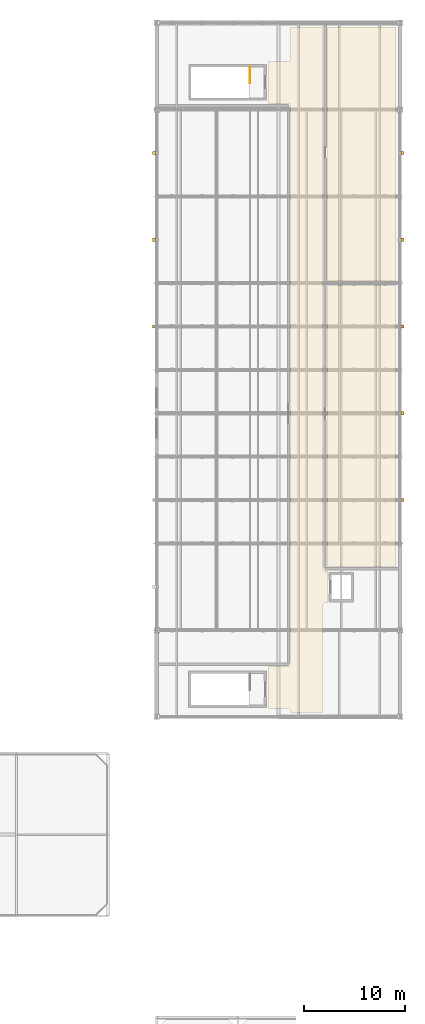
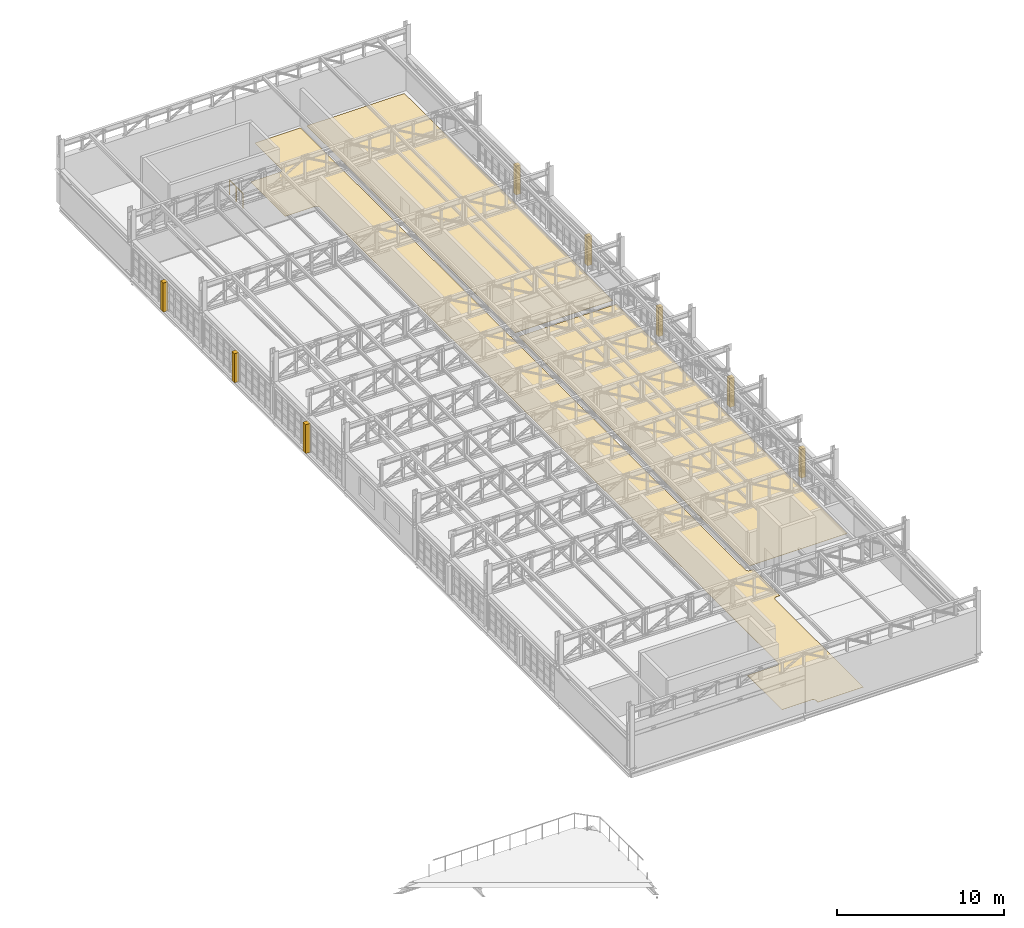
# One storey, part 128 of 128: 11 coverings, 1 railing.
"""IFC4 building model written with IfcOpenShell, lengths in metres."""

from ifc_helpers import new_model, si_unit, direction, frame, origin, origin_2d, place, context, subcontext, project, spatial, polyline, circle, outline, extrude, material, layer, layer_set, type_object, element, save


model = new_model("IFC4")

# Units and contexts
model_context = context("Model", 3, precision=1e-05, world=origin(), true_north=direction((0.0, 1.0)))
body_context = subcontext(model_context, "Body", "Model", "MODEL_VIEW")
ifc_project = project(units=[si_unit("LENGTHUNIT", "METRE"), si_unit("AREAUNIT", "SQUARE_METRE"), si_unit("VOLUMEUNIT", "CUBIC_METRE"), si_unit("PLANEANGLEUNIT", "RADIAN"), si_unit("MASSUNIT", "GRAM", prefix="KILO")], contexts=[model_context])

# Site, building, storey
site_placement = place(None, origin())
site = spatial("IfcSite", under=ifc_project, at=site_placement, CompositionType="ELEMENT")
building_placement = place(site_placement, origin())
building = spatial("IfcBuilding", under=site, at=building_placement, Name="Serraforn Aerial Cableway Station", CompositionType="ELEMENT")
storey_placement = place(building_placement, frame((0.0, 0.0, 9.0)))
storey = spatial("IfcBuildingStorey", under=building, at=storey_placement, Name="L02", CompositionType="ELEMENT", Elevation=9.0)

# Coverings
ifc_material_1 = material(Name="Fluted patinated bronze Art Deco pilaster cladding")
ifc_layer_1 = layer(ifc_material_1, 0.034912109375)
ifc_layer_set_1 = layer_set([ifc_layer_1], Name="Fluted patinated bronze Art Deco pilaster cladding")
covering_type_1 = type_object("IfcCoveringType", Name="COV-CLAD-BRZ", PredefinedType="CLADDING", material=ifc_layer_set_1)
covering_1_placement = place(storey_placement, origin())
element("IfcCovering", 1, at=covering_1_placement, inside=storey, type_object=covering_type_1, Name="Art Deco Bronze Pilaster Cladding EG-L02-E3", PredefinedType="CLADDING", context=body_context, shape_type="SweptSolid", body=[
    extrude(outline(polyline([(168.06005859375, 66.81494140625), (168.3798828125, 66.81494140625), (168.3798828125, 67.135009765625), (168.06005859375, 67.135009765625), (168.06005859375, 66.81494140625)])), origin(), (0.0, 0.0, 1.0), 2.1201171875),
])
covering_2_placement = place(storey_placement, origin())
element("IfcCovering", 2, at=covering_2_placement, inside=storey, type_object=covering_type_1, Name="Art Deco Bronze Pilaster Cladding EG-L02-E4", PredefinedType="CLADDING", context=body_context, shape_type="SweptSolid", body=[
    extrude(outline(polyline([(168.06005859375, 75.364990234375), (168.3798828125, 75.364990234375), (168.3798828125, 75.68505859375), (168.06005859375, 75.68505859375), (168.06005859375, 75.364990234375)])), origin(), (0.0, 0.0, 1.0), 2.1201171875),
])
covering_3_placement = place(storey_placement, origin())
element("IfcCovering", 3, at=covering_3_placement, inside=storey, type_object=covering_type_1, Name="Art Deco Bronze Pilaster Cladding EG-L02-W5", PredefinedType="CLADDING", context=body_context, shape_type="SweptSolid", body=[
    extrude(outline(polyline([(143.6201171875, 83.9150390625), (143.93994140625, 83.9150390625), (143.93994140625, 84.235107421875), (143.6201171875, 84.235107421875), (143.6201171875, 83.9150390625)])), origin(), (0.0, 0.0, 1.0), 2.1201171875),
])
covering_4_placement = place(storey_placement, origin())
element("IfcCovering", 4, at=covering_4_placement, inside=storey, type_object=covering_type_1, Name="Art Deco Bronze Pilaster Cladding EG-L02-E5", PredefinedType="CLADDING", context=body_context, shape_type="SweptSolid", body=[
    extrude(outline(polyline([(168.06005859375, 83.9150390625), (168.3798828125, 83.9150390625), (168.3798828125, 84.235107421875), (168.06005859375, 84.235107421875), (168.06005859375, 83.9150390625)])), origin(), (0.0, 0.0, 1.0), 2.1201171875),
])
covering_5_placement = place(storey_placement, origin())
element("IfcCovering", 5, at=covering_5_placement, inside=storey, type_object=covering_type_1, Name="Art Deco Bronze Pilaster Cladding EG-L02-W6", PredefinedType="CLADDING", context=body_context, shape_type="SweptSolid", body=[
    extrude(outline(polyline([(143.6201171875, 92.465087890625), (143.93994140625, 92.465087890625), (143.93994140625, 92.784912109375), (143.6201171875, 92.784912109375), (143.6201171875, 92.465087890625)])), origin(), (0.0, 0.0, 1.0), 2.1201171875),
])
covering_6_placement = place(storey_placement, origin())
element("IfcCovering", 6, at=covering_6_placement, inside=storey, type_object=covering_type_1, Name="Art Deco Bronze Pilaster Cladding EG-L02-E6", PredefinedType="CLADDING", context=body_context, shape_type="SweptSolid", body=[
    extrude(outline(polyline([(168.06005859375, 92.465087890625), (168.3798828125, 92.465087890625), (168.3798828125, 92.784912109375), (168.06005859375, 92.784912109375), (168.06005859375, 92.465087890625)])), origin(), (0.0, 0.0, 1.0), 2.1201171875),
])
covering_7_placement = place(storey_placement, origin())
element("IfcCovering", 7, at=covering_7_placement, inside=storey, type_object=covering_type_1, Name="Art Deco Bronze Pilaster Cladding EG-L02-W7", PredefinedType="CLADDING", context=body_context, shape_type="SweptSolid", body=[
    extrude(outline(polyline([(143.6201171875, 101.014892578125), (143.93994140625, 101.014892578125), (143.93994140625, 101.3349609375), (143.6201171875, 101.3349609375), (143.6201171875, 101.014892578125)])), origin(), (0.0, 0.0, 1.0), 2.1201171875),
])
covering_8_placement = place(storey_placement, origin())
element("IfcCovering", 8, at=covering_8_placement, inside=storey, type_object=covering_type_1, Name="Art Deco Bronze Pilaster Cladding EG-L02-E7", PredefinedType="CLADDING", context=body_context, shape_type="SweptSolid", body=[
    extrude(outline(polyline([(168.06005859375, 101.014892578125), (168.3798828125, 101.014892578125), (168.3798828125, 101.3349609375), (168.06005859375, 101.3349609375), (168.06005859375, 101.014892578125)])), origin(), (0.0, 0.0, 1.0), 2.1201171875),
])
ifc_material_2 = material(Name="Heavy-duty non-slip quartz epoxy floor")
ifc_layer_2 = layer(ifc_material_2, 0.014892578125)
ifc_layer_set_2 = layer_set([ifc_layer_2], Name="Heavy-duty non-slip quartz epoxy floor")
covering_type_2 = type_object("IfcCoveringType", Name="COV-FLR-EPOX", PredefinedType="FLOORING", material=ifc_layer_set_2)
covering_9_placement = place(storey_placement, origin())
element("IfcCovering", 9, at=covering_9_placement, inside=storey, type_object=covering_type_2, Name="Flooring L02-15", PredefinedType="FLOORING", context=body_context, shape_type="SweptSolid", body=[
    extrude(outline(polyline([(157.0, 50.580078125), (157.021484375, 50.5810546875), (157.04296875, 50.584228515625), (157.06396484375, 50.589599609375), (157.084228515625, 50.5966796875), (157.103759765625, 50.60595703125), (157.122314453125, 50.6171875), (157.1396484375, 50.6298828125), (157.155517578125, 50.644287109375), (157.170166015625, 50.660400390625), (157.182861328125, 50.677734375), (157.194091796875, 50.6962890625), (157.203369140625, 50.7158203125), (157.21044921875, 50.736083984375), (157.2158203125, 50.757080078125), (157.218994140625, 50.7783203125), (157.219970703125, 50.800048828125), (157.219970703125, 105.800048828125), (157.218994140625, 105.821533203125), (157.2158203125, 105.843017578125), (157.21044921875, 105.864013671875), (157.203369140625, 105.88427734375), (157.194091796875, 105.90380859375), (157.182861328125, 105.922119140625), (157.170166015625, 105.939697265625), (157.155517578125, 105.95556640625), (157.1396484375, 105.97021484375), (157.122314453125, 105.98291015625), (157.103759765625, 105.993896484375), (157.084228515625, 106.00341796875), (157.06396484375, 106.010498046875), (157.04296875, 106.015869140625), (157.021484375, 106.018798828125), (157.0, 106.02001953125), (154.969970703125, 106.02001953125), (154.969970703125, 110.179931640625), (157.0, 110.179931640625), (157.021484375, 110.18115234375), (157.04296875, 110.18408203125), (157.06396484375, 110.189453125), (157.084228515625, 110.19677734375), (157.103759765625, 110.2060546875), (157.122314453125, 110.217041015625), (157.1396484375, 110.22998046875), (157.155517578125, 110.244384765625), (157.170166015625, 110.260498046875), (157.182861328125, 110.27783203125), (157.194091796875, 110.29638671875), (157.203369140625, 110.31591796875), (157.21044921875, 110.336181640625), (157.2158203125, 110.357177734375), (157.218994140625, 110.37841796875), (157.219970703125, 110.39990234375), (157.219970703125, 113.580078125), (160.3798828125, 113.580078125), (160.3798828125, 60.199951171875), (160.381103515625, 60.178466796875), (160.38427734375, 60.156982421875), (160.389404296875, 60.135986328125), (160.396728515625, 60.11572265625), (160.406005859375, 60.09619140625), (160.4169921875, 60.077880859375), (160.429931640625, 60.060302734375), (160.4443359375, 60.04443359375), (160.46044921875, 60.02978515625), (160.477783203125, 60.01708984375), (160.496337890625, 60.006103515625), (160.515869140625, 59.99658203125), (160.5361328125, 59.989501953125), (160.55712890625, 59.984130859375), (160.578369140625, 59.981201171875), (160.60009765625, 59.97998046875), (160.830078125, 59.97998046875), (160.830078125, 56.820068359375), (160.60009765625, 56.820068359375), (160.578369140625, 56.81884765625), (160.55712890625, 56.81591796875), (160.5361328125, 56.810546875), (160.515869140625, 56.80322265625), (160.496337890625, 56.7939453125), (160.477783203125, 56.782958984375), (160.46044921875, 56.77001953125), (160.4443359375, 56.755615234375), (160.429931640625, 56.739501953125), (160.4169921875, 56.72216796875), (160.406005859375, 56.70361328125), (160.396728515625, 56.68408203125), (160.389404296875, 56.663818359375), (160.38427734375, 56.642822265625), (160.381103515625, 56.62158203125), (160.3798828125, 56.60009765625), (160.3798828125, 46.02001953125), (157.219970703125, 46.02001953125), (157.219970703125, 46.199951171875), (157.218994140625, 46.2216796875), (157.2158203125, 46.242919921875), (157.21044921875, 46.263916015625), (157.203369140625, 46.2841796875), (157.194091796875, 46.3037109375), (157.182861328125, 46.322265625), (157.170166015625, 46.339599609375), (157.155517578125, 46.355712890625), (157.1396484375, 46.3701171875), (157.122314453125, 46.3828125), (157.103759765625, 46.39404296875), (157.084228515625, 46.4033203125), (157.06396484375, 46.410400390625), (157.04296875, 46.415771484375), (157.021484375, 46.4189453125), (157.0, 46.419921875), (154.969970703125, 46.419921875), (154.969970703125, 50.580078125), (157.0, 50.580078125)])), origin(), (0.0, 0.0, 1.0), 0.014892578125),
])
covering_10_placement = place(storey_placement, origin())
element("IfcCovering", 10, at=covering_10_placement, inside=storey, type_object=covering_type_2, Name="Flooring L02-13", PredefinedType="FLOORING", context=body_context, shape_type="SweptSolid", body=[
    extrude(outline(polyline([(160.820068359375, 60.419921875), (160.820068359375, 88.1298828125), (167.580078125, 88.1298828125), (167.580078125, 60.419921875), (160.820068359375, 60.419921875)])), origin(), (0.0, 0.0, 1.0), 0.014892578125),
])
covering_11_placement = place(storey_placement, origin())
element("IfcCovering", 11, at=covering_11_placement, inside=storey, type_object=covering_type_2, Name="Flooring L02-14", PredefinedType="FLOORING", context=body_context, shape_type="SweptSolid", body=[
    extrude(outline(polyline([(160.820068359375, 88.570068359375), (160.820068359375, 113.580078125), (167.580078125, 113.580078125), (167.580078125, 88.570068359375), (160.820068359375, 88.570068359375)])), origin(), (0.0, 0.0, 1.0), 0.014892578125),
])

# Railing
ifc_material_3 = material(Name="Patinated bronze stair guardrail")
ifc_layer_3 = layer(ifc_material_3, 0.050048828125)
ifc_layer_set_3 = layer_set([ifc_layer_3], Name="Patinated bronze stair guardrail")
railing_type = type_object("IfcRailingType", Name="RL-STR-GRD", PredefinedType="GUARDRAIL", material=ifc_layer_set_3)
railing_placement = place(storey_placement, frame((153.199951171875, 109.659912109375, 0.0)))
element("IfcRailing", 12, at=railing_placement, inside=storey, type_object=railing_type, Name="L02 ST-11 top well guard 1", PredefinedType="GUARDRAIL", context=body_context, shape_type="SweptSolid", body=[
    extrude(circle(Radius=0.02392578125, at=origin_2d()), frame((0.0, 0.0, 1.076171875), z_axis=(0.0, -1.0, 0.0), x_axis=(1.0, 0.0, 0.0)), (0.0, 0.0, 1.0), 1.60986328125),
    extrude(circle(Radius=0.02099609375, at=origin_2d()), origin(), (0.0, 0.0, 1.0), 1.052001953125),
    extrude(circle(Radius=0.02099609375, at=origin_2d()), frame((0.0, -0.804931640625, 0.0)), (0.0, 0.0, 1.0), 1.052001953125),
    extrude(circle(Radius=0.02099609375, at=origin_2d()), frame((0.0, -1.60986328125, 0.0)), (0.0, 0.0, 1.0), 1.052001953125),
])

save(model, "model.ifc")
